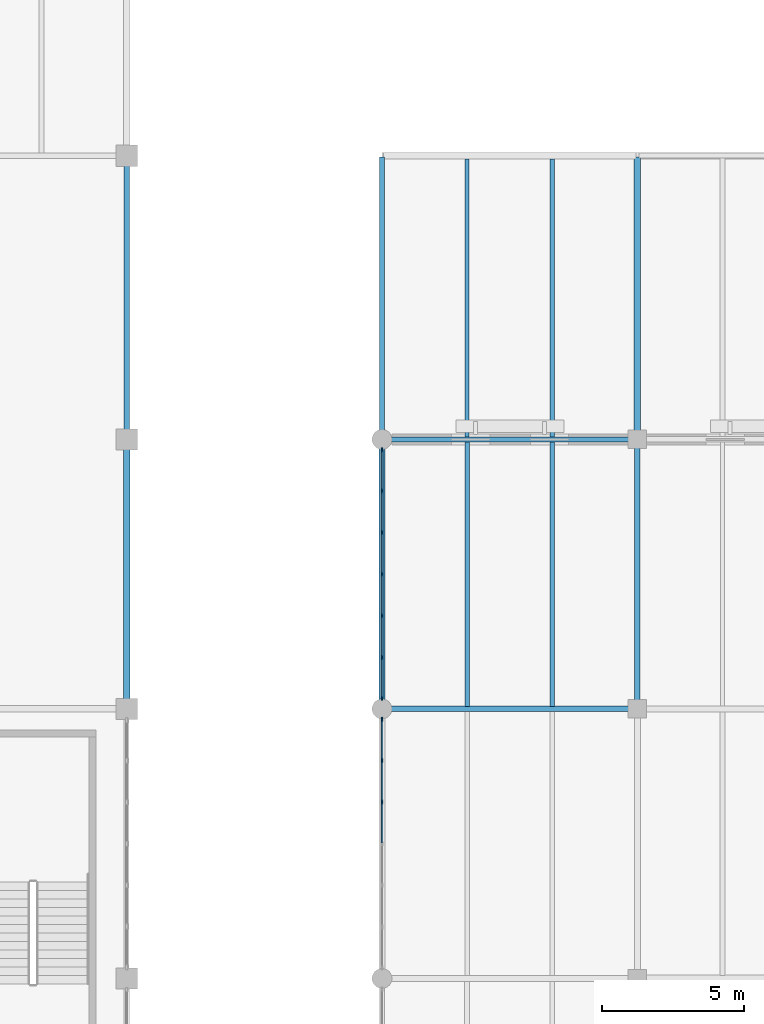
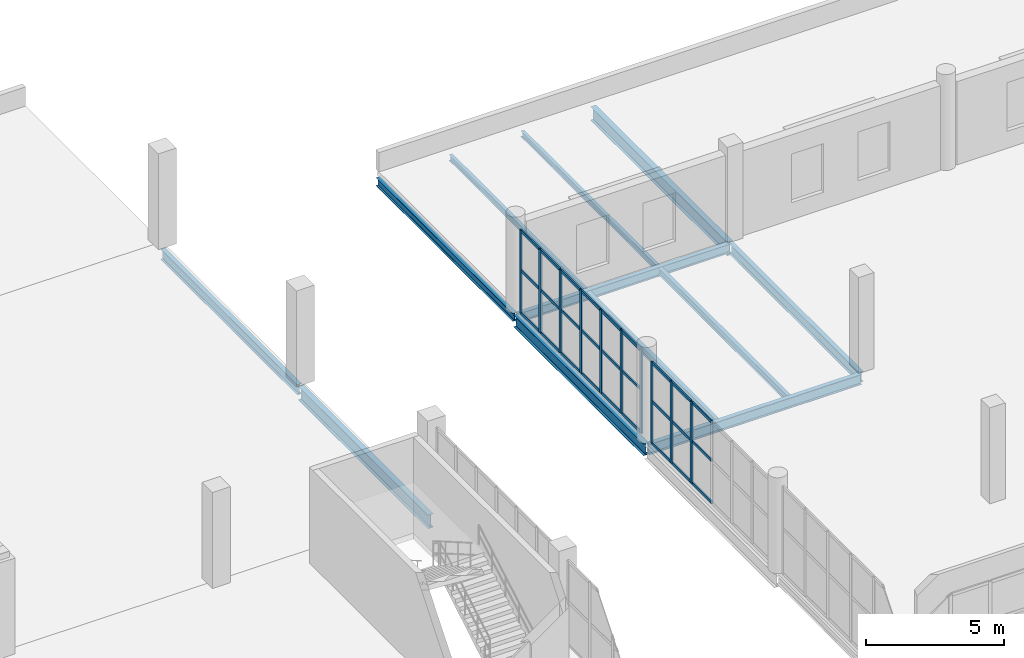
# One storey, part 42 of 85: 37 members, 12 beams, 2 elements without a shape of their own.
"""IFC4 building model written with IfcOpenShell, lengths in metres."""

from ifc_helpers import new_model, si_unit, direction, frame, origin, origin_2d, place, context, subcontext, project, spatial, rectangle, i_section, extrude, material, layer, layer_set, material_profile, profile_set, type_object, element, aggregate, save


model = new_model("IFC4")

# Units and contexts
model_context = context("Model", 3, precision=1e-05, world=origin(), true_north=direction((0.0, 1.0)))
body_context = subcontext(model_context, "Body", "Model", "MODEL_VIEW")
ifc_project = project(units=[si_unit("LENGTHUNIT", "METRE"), si_unit("AREAUNIT", "SQUARE_METRE"), si_unit("VOLUMEUNIT", "CUBIC_METRE"), si_unit("PLANEANGLEUNIT", "RADIAN"), si_unit("MASSUNIT", "GRAM", prefix="KILO")], contexts=[model_context])

# Site, building, storey
site_placement = place(None, origin())
site = spatial("IfcSite", under=ifc_project, at=site_placement, CompositionType="ELEMENT")
building_placement = place(site_placement, origin())
building = spatial("IfcBuilding", under=site, at=building_placement, Name="Marnock Terrace Opera House", CompositionType="ELEMENT")
storey_placement = place(building_placement, frame((0.0, 0.0, 10.199951171875)))
storey = spatial("IfcBuildingStorey", under=building, at=storey_placement, Name="L02", CompositionType="ELEMENT", Elevation=10.199951171875)

# Beams
ifc_material_1 = material(Name="Steel Grade 350 (AS/NZS 3679.1)", Category="steel")
ifc_material_profile_1 = material_profile(ifc_material_1, i_section(OverallWidth=0.1708984375, OverallDepth=0.355712890625, WebThickness=0.00732421875, FlangeThickness=0.011474609375, FilletRadius=0.011474609375, at=origin_2d()))
ifc_profile_set_1 = profile_set([ifc_material_profile_1], Name="Steel Grade 350 (AS/NZS 3679.1)")
beam_type_1 = type_object("IfcBeamType", Name="BM-GIRD-360", PredefinedType="BEAM", material=ifc_profile_set_1)
beam_1_placement = place(storey_placement, frame((118.0, 94.050048828125, -0.437744140625), z_axis=(0.0, 1.0, 0.0), x_axis=(-1.0, 0.0, 0.0)))
element("IfcBeam", 1, at=beam_1_placement, inside=storey, type_object=beam_type_1, Name="L02 girder (X=118.0, 94.0..104.0)", PredefinedType="BEAM", context=body_context, shape_type="SweptSolid", body=[
    extrude(i_section(OverallWidth=0.1708984375, OverallDepth=0.355712890625, WebThickness=0.00732421875, FlangeThickness=0.011474609375, FilletRadius=0.011474609375, at=origin_2d()), origin(), (0.0, 0.0, 1.0), 9.89990234375),
])
ifc_material_profile_2 = material_profile(ifc_material_1, i_section(OverallWidth=0.177978515625, OverallDepth=0.402587890625, WebThickness=0.007568359375, FlangeThickness=0.010986328125, FilletRadius=0.011474609375, at=origin_2d()))
ifc_profile_set_2 = profile_set([ifc_material_profile_2], Name="Steel Grade 350 (AS/NZS 3679.1)")
beam_type_2 = type_object("IfcBeamType", Name="BM-GIRD-410", PredefinedType="BEAM", material=ifc_profile_set_2)
beam_2_placement = place(storey_placement, frame((118.050048828125, 94.0, -0.461181640625), z_axis=(1.0, 0.0, 0.0), x_axis=(0.0, 1.0, 0.0)))
element("IfcBeam", 2, at=beam_2_placement, inside=storey, type_object=beam_type_2, Name="L02 girder (118.0..127.0, Y=94.0)", PredefinedType="BEAM", context=body_context, shape_type="SweptSolid", body=[
    extrude(i_section(OverallWidth=0.177978515625, OverallDepth=0.402587890625, WebThickness=0.007568359375, FlangeThickness=0.010986328125, FilletRadius=0.011474609375, at=origin_2d()), origin(), (0.0, 0.0, 1.0), 8.89990234375),
])
ifc_material_profile_3 = material_profile(ifc_material_1, i_section(OverallWidth=0.19091796875, OverallDepth=0.46044921875, WebThickness=0.010009765625, FlangeThickness=0.01611328125, FilletRadius=0.011474609375, at=origin_2d()))
ifc_profile_set_3 = profile_set([ifc_material_profile_3], Name="Steel Grade 350 (AS/NZS 3679.1)")
beam_type_3 = type_object("IfcBeamType", Name="BM-GIRD-460A", PredefinedType="BEAM", material=ifc_profile_set_3)
beam_3_placement = place(storey_placement, frame((118.050048828125, 84.5, -0.490234375), z_axis=(1.0, 0.0, 0.0), x_axis=(0.0, 1.0, 0.0)))
element("IfcBeam", 3, at=beam_3_placement, inside=storey, type_object=beam_type_3, Name="L02 girder (118.0..127.0, Y=84.5)", PredefinedType="BEAM", context=body_context, shape_type="SweptSolid", body=[
    extrude(i_section(OverallWidth=0.19091796875, OverallDepth=0.46044921875, WebThickness=0.010009765625, FlangeThickness=0.01611328125, FilletRadius=0.011474609375, at=origin_2d()), origin(), (0.0, 0.0, 1.0), 8.89990234375),
])
ifc_material_profile_4 = material_profile(ifc_material_1, i_section(OverallWidth=0.18994140625, OverallDepth=0.45751953125, WebThickness=0.009033203125, FlangeThickness=0.014404296875, FilletRadius=0.011474609375, at=origin_2d()))
ifc_profile_set_4 = profile_set([ifc_material_profile_4], Name="Steel Grade 350 (AS/NZS 3679.1)")
beam_type_4 = type_object("IfcBeamType", Name="BM-GIRD-460B", PredefinedType="BEAM", material=ifc_profile_set_4)
beam_4_placement = place(storey_placement, frame((109.0, 94.050048828125, -0.48876953125), z_axis=(0.0, 1.0, 0.0), x_axis=(-1.0, 0.0, 0.0)))
element("IfcBeam", 4, at=beam_4_placement, inside=storey, type_object=beam_type_4, Name="L02 girder (X=109.0, 94.0..104.0)", PredefinedType="BEAM", context=body_context, shape_type="SweptSolid", body=[
    extrude(i_section(OverallWidth=0.18994140625, OverallDepth=0.45751953125, WebThickness=0.009033203125, FlangeThickness=0.014404296875, FilletRadius=0.011474609375, at=origin_2d()), origin(), (0.0, 0.0, 1.0), 9.89990234375),
])
beam_5_placement = place(storey_placement, frame((127.0, 84.550048828125, -0.48876953125), z_axis=(0.0, 1.0, 0.0), x_axis=(-1.0, 0.0, 0.0)))
element("IfcBeam", 5, at=beam_5_placement, inside=storey, type_object=beam_type_4, Name="L02 girder (X=127.0, 84.5..94.0)", PredefinedType="BEAM", context=body_context, shape_type="SweptSolid", body=[
    extrude(i_section(OverallWidth=0.18994140625, OverallDepth=0.45751953125, WebThickness=0.009033203125, FlangeThickness=0.014404296875, FilletRadius=0.011474609375, at=origin_2d()), origin(), (0.0, 0.0, 1.0), 9.39990234375),
])
ifc_material_profile_5 = material_profile(ifc_material_1, i_section(OverallWidth=0.208984375, OverallDepth=0.528076171875, WebThickness=0.009521484375, FlangeThickness=0.01318359375, FilletRadius=0.013916015625, at=origin_2d()))
ifc_profile_set_5 = profile_set([ifc_material_profile_5], Name="Steel Grade 350 (AS/NZS 3679.1)")
beam_type_5 = type_object("IfcBeamType", Name="BM-GIRD-530B", PredefinedType="BEAM", material=ifc_profile_set_5)
beam_6_placement = place(storey_placement, frame((118.0, 84.550048828125, -0.52392578125), z_axis=(0.0, 1.0, 0.0), x_axis=(-1.0, 0.0, 0.0)))
element("IfcBeam", 6, at=beam_6_placement, inside=storey, type_object=beam_type_5, Name="L02 girder (X=118.0, 84.5..94.0)", PredefinedType="BEAM", context=body_context, shape_type="SweptSolid", body=[
    extrude(i_section(OverallWidth=0.208984375, OverallDepth=0.528076171875, WebThickness=0.009521484375, FlangeThickness=0.01318359375, FilletRadius=0.013916015625, at=origin_2d()), origin(), (0.0, 0.0, 1.0), 9.39990234375),
])
ifc_material_profile_6 = material_profile(ifc_material_1, i_section(OverallWidth=0.22802734375, OverallDepth=0.60205078125, WebThickness=0.010498046875, FlangeThickness=0.014892578125, FilletRadius=0.013916015625, at=origin_2d()))
ifc_profile_set_6 = profile_set([ifc_material_profile_6], Name="Steel Grade 350 (AS/NZS 3679.1)")
beam_type_6 = type_object("IfcBeamType", Name="BM-GIRD-610C", PredefinedType="BEAM", material=ifc_profile_set_6)
beam_7_placement = place(storey_placement, frame((109.0, 84.550048828125, -0.56103515625), z_axis=(0.0, 1.0, 0.0), x_axis=(-1.0, 0.0, 0.0)))
element("IfcBeam", 7, at=beam_7_placement, inside=storey, type_object=beam_type_6, Name="L02 girder (X=109.0, 84.5..94.0)", PredefinedType="BEAM", context=body_context, shape_type="SweptSolid", body=[
    extrude(i_section(OverallWidth=0.22802734375, OverallDepth=0.60205078125, WebThickness=0.010498046875, FlangeThickness=0.014892578125, FilletRadius=0.013916015625, at=origin_2d()), origin(), (0.0, 0.0, 1.0), 9.39990234375),
])
beam_8_placement = place(storey_placement, frame((127.0, 94.050048828125, -0.56103515625), z_axis=(0.0, 1.0, 0.0), x_axis=(-1.0, 0.0, 0.0)))
element("IfcBeam", 8, at=beam_8_placement, inside=storey, type_object=beam_type_6, Name="L02 girder (X=127.0, 94.0..104.0)", PredefinedType="BEAM", context=body_context, shape_type="SweptSolid", body=[
    extrude(i_section(OverallWidth=0.22802734375, OverallDepth=0.60205078125, WebThickness=0.010498046875, FlangeThickness=0.014892578125, FilletRadius=0.013916015625, at=origin_2d()), origin(), (0.0, 0.0, 1.0), 9.89990234375),
])
ifc_material_profile_7 = material_profile(ifc_material_1, i_section(OverallWidth=0.14599609375, OverallDepth=0.256103515625, WebThickness=0.00634765625, FlangeThickness=0.010986328125, FilletRadius=0.0087890625, at=origin_2d()))
ifc_profile_set_7 = profile_set([ifc_material_profile_7], Name="Steel Grade 350 (AS/NZS 3679.1)")
beam_type_7 = type_object("IfcBeamType", Name="BM-JOIST-250", PredefinedType="JOIST", material=ifc_profile_set_7)
for number, where, z_axis, x_axis, name in (
    (9, (121.0, 94.083984375, -0.387939453125), (0.0, 1.0, 0.0), (-1.0, 0.0, 0.0), "L02 secondary joist 13.11.1"),
    (10, (124.0, 94.083984375, -0.387939453125), (0.0, 1.0, 0.0), (-1.0, 0.0, 0.0), "L02 secondary joist 13.11.2"),
):
    element("IfcBeam", number, at=place(storey_placement, frame(where, z_axis=z_axis, x_axis=x_axis)), inside=storey, type_object=beam_type_7, Name=name, PredefinedType="JOIST", context=body_context, shape_type="SweptSolid", body=[
        extrude(i_section(OverallWidth=0.14599609375, OverallDepth=0.256103515625, WebThickness=0.00634765625, FlangeThickness=0.010986328125, FilletRadius=0.0087890625, at=origin_2d()), origin(), (0.0, 0.0, 1.0), 9.806396484375),
    ])
ifc_material_profile_8 = material_profile(ifc_material_1, i_section(OverallWidth=0.1650390625, OverallDepth=0.3037109375, WebThickness=0.006103515625, FlangeThickness=0.01025390625, FilletRadius=0.011474609375, at=origin_2d()))
ifc_profile_set_8 = profile_set([ifc_material_profile_8], Name="Steel Grade 350 (AS/NZS 3679.1)")
beam_type_8 = type_object("IfcBeamType", Name="BM-JOIST-310B", PredefinedType="JOIST", material=ifc_profile_set_8)
for number, where, z_axis, x_axis, name in (
    (11, (121.0, 84.590576171875, -0.411865234375), (0.0, 1.0, 0.0), (-1.0, 0.0, 0.0), "L02 secondary joist 13.10.1"),
    (12, (124.0, 84.590576171875, -0.411865234375), (0.0, 1.0, 0.0), (-1.0, 0.0, 0.0), "L02 secondary joist 13.10.2"),
):
    element("IfcBeam", number, at=place(storey_placement, frame(where, z_axis=z_axis, x_axis=x_axis)), inside=storey, type_object=beam_type_8, Name=name, PredefinedType="JOIST", context=body_context, shape_type="SweptSolid", body=[
        extrude(i_section(OverallWidth=0.1650390625, OverallDepth=0.3037109375, WebThickness=0.006103515625, FlangeThickness=0.01025390625, FilletRadius=0.011474609375, at=origin_2d()), origin(), (0.0, 0.0, 1.0), 9.325439453125),
    ])

# Curtain wall, members
ifc_material_2 = material(Name="Anodised architectural bronze aluminium framing", Category="aluminium")
ifc_layer = layer(ifc_material_2, 0.159912109375)
ifc_layer_set = layer_set([ifc_layer], Name="Anodised architectural bronze aluminium framing")
curtain_wall_type = type_object("IfcCurtainWallType", Name="CW-FOYER-95x42", PredefinedType="NOTDEFINED", material=ifc_layer_set)
curtain_wall_1_placement = place(storey_placement, origin())
curtain_wall_1 = element("IfcCurtainWall", 13, at=curtain_wall_1_placement, inside=storey, type_object=curtain_wall_type, Name="L02 glazed Beaux-Arts colonnade curtain wall CW-V5-L02-W6", PredefinedType="NOTDEFINED")
ifc_material_profile_9 = material_profile(ifc_material_2, rectangle(XDim=0.06005859375, YDim=0.14990234375, at=origin_2d()))
ifc_profile_set_9 = profile_set([ifc_material_profile_9], Name="Anodised architectural bronze aluminium framing")
member_type_1 = type_object("IfcMemberType", Name="CWM-60x150", PredefinedType="MULLION", material=ifc_profile_set_9)
member_1_placement = place(storey_placement, frame((118.0, 81.218017578125, 0.0), z_axis=(0.0, 0.0, 1.0), x_axis=(-1.0, 0.0, 0.0)))
member_1 = element("IfcMember", 14, at=member_1_placement, type_object=member_type_1, Name="CW-17 mullion 5", PredefinedType="MULLION", context=body_context, shape_type="SweptSolid", body=[
    extrude(rectangle(XDim=0.06005859375, YDim=0.14990234375, at=origin_2d()), origin(), (0.0, 0.0, 1.0), 3.608154296875),
])
member_2_placement = place(storey_placement, frame((118.0, 82.68603515625, 0.0), z_axis=(0.0, 0.0, 1.0), x_axis=(-1.0, 0.0, 0.0)))
member_2 = element("IfcMember", 15, at=member_2_placement, type_object=member_type_1, Name="CW-17 mullion 6", PredefinedType="MULLION", context=body_context, shape_type="SweptSolid", body=[
    extrude(rectangle(XDim=0.06005859375, YDim=0.14990234375, at=origin_2d()), origin(), (0.0, 0.0, 1.0), 3.608154296875),
])
member_3_placement = place(storey_placement, frame((118.0, 84.1240234375, 0.0), z_axis=(0.0, 0.0, 1.0), x_axis=(-1.0, 0.0, 0.0)))
member_3 = element("IfcMember", 16, at=member_3_placement, type_object=member_type_1, Name="CW-17 mullion 7", PredefinedType="MULLION", context=body_context, shape_type="SweptSolid", body=[
    extrude(rectangle(XDim=0.06005859375, YDim=0.14990234375, at=origin_2d()), origin(), (0.0, 0.0, 1.0), 3.608154296875),
])

curtain_wall_2_placement = place(storey_placement, origin())
curtain_wall_2 = element("IfcCurtainWall", 17, at=curtain_wall_2_placement, inside=storey, type_object=curtain_wall_type, Name="L02 glazed Beaux-Arts colonnade curtain wall CW-V5-L02-W7", PredefinedType="NOTDEFINED")
member_4_placement = place(storey_placement, frame((118.0, 84.8759765625, 0.0), z_axis=(0.0, 0.0, 1.0), x_axis=(-1.0, 0.0, 0.0)))
member_4 = element("IfcMember", 18, at=member_4_placement, type_object=member_type_1, Name="CW-17 mullion 1", PredefinedType="MULLION", context=body_context, shape_type="SweptSolid", body=[
    extrude(rectangle(XDim=0.06005859375, YDim=0.14990234375, at=origin_2d()), origin(), (0.0, 0.0, 1.0), 3.68212890625),
])
member_5_placement = place(storey_placement, frame((118.0, 86.31396484375, 0.0), z_axis=(0.0, 0.0, 1.0), x_axis=(-1.0, 0.0, 0.0)))
member_5 = element("IfcMember", 19, at=member_5_placement, type_object=member_type_1, Name="CW-17 mullion 2", PredefinedType="MULLION", context=body_context, shape_type="SweptSolid", body=[
    extrude(rectangle(XDim=0.06005859375, YDim=0.14990234375, at=origin_2d()), origin(), (0.0, 0.0, 1.0), 3.68212890625),
])
member_6_placement = place(storey_placement, frame((118.0, 87.781982421875, 0.0), z_axis=(0.0, 0.0, 1.0), x_axis=(-1.0, 0.0, 0.0)))
member_6 = element("IfcMember", 20, at=member_6_placement, type_object=member_type_1, Name="CW-17 mullion 3", PredefinedType="MULLION", context=body_context, shape_type="SweptSolid", body=[
    extrude(rectangle(XDim=0.06005859375, YDim=0.14990234375, at=origin_2d()), origin(), (0.0, 0.0, 1.0), 3.68212890625),
])
member_7_placement = place(storey_placement, frame((118.0, 89.25, 0.0), z_axis=(0.0, 0.0, 1.0), x_axis=(-1.0, 0.0, 0.0)))
member_7 = element("IfcMember", 21, at=member_7_placement, type_object=member_type_1, Name="CW-17 mullion 4", PredefinedType="MULLION", context=body_context, shape_type="SweptSolid", body=[
    extrude(rectangle(XDim=0.06005859375, YDim=0.14990234375, at=origin_2d()), origin(), (0.0, 0.0, 1.0), 3.68212890625),
])
member_8_placement = place(storey_placement, frame((118.0, 90.718017578125, 0.0), z_axis=(0.0, 0.0, 1.0), x_axis=(-1.0, 0.0, 0.0)))
member_8 = element("IfcMember", 22, at=member_8_placement, type_object=member_type_1, Name="CW-17 mullion 5", PredefinedType="MULLION", context=body_context, shape_type="SweptSolid", body=[
    extrude(rectangle(XDim=0.06005859375, YDim=0.14990234375, at=origin_2d()), origin(), (0.0, 0.0, 1.0), 3.68212890625),
])
member_9_placement = place(storey_placement, frame((118.0, 92.18603515625, 0.0), z_axis=(0.0, 0.0, 1.0), x_axis=(-1.0, 0.0, 0.0)))
member_9 = element("IfcMember", 23, at=member_9_placement, type_object=member_type_1, Name="CW-17 mullion 6", PredefinedType="MULLION", context=body_context, shape_type="SweptSolid", body=[
    extrude(rectangle(XDim=0.06005859375, YDim=0.14990234375, at=origin_2d()), origin(), (0.0, 0.0, 1.0), 3.68212890625),
])
member_10_placement = place(storey_placement, frame((118.0, 93.6240234375, 0.0), z_axis=(0.0, 0.0, 1.0), x_axis=(-1.0, 0.0, 0.0)))
member_10 = element("IfcMember", 24, at=member_10_placement, type_object=member_type_1, Name="CW-17 mullion 7", PredefinedType="MULLION", context=body_context, shape_type="SweptSolid", body=[
    extrude(rectangle(XDim=0.06005859375, YDim=0.14990234375, at=origin_2d()), origin(), (0.0, 0.0, 1.0), 3.68212890625),
])

# Member
ifc_material_profile_10 = material_profile(ifc_material_2, rectangle(XDim=0.06005859375, YDim=0.1298828125, at=origin_2d()))
ifc_profile_set_10 = profile_set([ifc_material_profile_10], Name="Anodised architectural bronze aluminium framing")
member_type_2 = type_object("IfcMemberType", Name="CWT-60x130", PredefinedType="USERDEFINED", material=ifc_profile_set_10)
member_11_placement = place(storey_placement, frame((118.0, 79.780029296875, 0.030029296875), z_axis=(0.0, 1.0, 0.0), x_axis=(-1.0, 0.0, 0.0)))
member_11 = element("IfcMember", 25, at=member_11_placement, type_object=member_type_2, Name="CW-17 transom 4.1", ObjectType="TRANSOM", PredefinedType="USERDEFINED", context=body_context, shape_type="SweptSolid", body=[
    extrude(rectangle(XDim=0.06005859375, YDim=0.1298828125, at=origin_2d()), origin(), (0.0, 0.0, 1.0), 1.407958984375),
])

member_12_placement = place(storey_placement, frame((118.0, 79.780029296875, 1.876220703125), z_axis=(0.0, 1.0, 0.0), x_axis=(-1.0, 0.0, 0.0)))
member_12 = element("IfcMember", 26, at=member_12_placement, type_object=member_type_2, Name="CW-17 transom 4.2", ObjectType="TRANSOM", PredefinedType="USERDEFINED", context=body_context, shape_type="SweptSolid", body=[
    extrude(rectangle(XDim=0.06005859375, YDim=0.1298828125, at=origin_2d()), origin(), (0.0, 0.0, 1.0), 1.407958984375),
])

member_13_placement = place(storey_placement, frame((118.0, 79.780029296875, 3.578125), z_axis=(0.0, 1.0, 0.0), x_axis=(-1.0, 0.0, 0.0)))
member_13 = element("IfcMember", 27, at=member_13_placement, type_object=member_type_2, Name="CW-17 transom 4.3", ObjectType="TRANSOM", PredefinedType="USERDEFINED", context=body_context, shape_type="SweptSolid", body=[
    extrude(rectangle(XDim=0.06005859375, YDim=0.1298828125, at=origin_2d()), origin(), (0.0, 0.0, 1.0), 1.407958984375),
])

member_14_placement = place(storey_placement, frame((118.0, 81.248046875, 0.030029296875), z_axis=(0.0, 1.0, 0.0), x_axis=(-1.0, 0.0, 0.0)))
member_14 = element("IfcMember", 28, at=member_14_placement, type_object=member_type_2, Name="CW-17 transom 5.1", ObjectType="TRANSOM", PredefinedType="USERDEFINED", context=body_context, shape_type="SweptSolid", body=[
    extrude(rectangle(XDim=0.06005859375, YDim=0.1298828125, at=origin_2d()), origin(), (0.0, 0.0, 1.0), 1.407958984375),
])

member_15_placement = place(storey_placement, frame((118.0, 81.248046875, 1.876220703125), z_axis=(0.0, 1.0, 0.0), x_axis=(-1.0, 0.0, 0.0)))
member_15 = element("IfcMember", 29, at=member_15_placement, type_object=member_type_2, Name="CW-17 transom 5.2", ObjectType="TRANSOM", PredefinedType="USERDEFINED", context=body_context, shape_type="SweptSolid", body=[
    extrude(rectangle(XDim=0.06005859375, YDim=0.1298828125, at=origin_2d()), origin(), (0.0, 0.0, 1.0), 1.407958984375),
])

member_16_placement = place(storey_placement, frame((118.0, 81.248046875, 3.578125), z_axis=(0.0, 1.0, 0.0), x_axis=(-1.0, 0.0, 0.0)))
member_16 = element("IfcMember", 30, at=member_16_placement, type_object=member_type_2, Name="CW-17 transom 5.3", ObjectType="TRANSOM", PredefinedType="USERDEFINED", context=body_context, shape_type="SweptSolid", body=[
    extrude(rectangle(XDim=0.06005859375, YDim=0.1298828125, at=origin_2d()), origin(), (0.0, 0.0, 1.0), 1.407958984375),
])

member_17_placement = place(storey_placement, frame((118.0, 82.716064453125, 0.030029296875), z_axis=(0.0, 1.0, 0.0), x_axis=(-1.0, 0.0, 0.0)))
member_17 = element("IfcMember", 31, at=member_17_placement, type_object=member_type_2, Name="CW-17 transom 6.1", ObjectType="TRANSOM", PredefinedType="USERDEFINED", context=body_context, shape_type="SweptSolid", body=[
    extrude(rectangle(XDim=0.06005859375, YDim=0.1298828125, at=origin_2d()), origin(), (0.0, 0.0, 1.0), 1.3779296875),
])

member_18_placement = place(storey_placement, frame((118.0, 82.716064453125, 1.876220703125), z_axis=(0.0, 1.0, 0.0), x_axis=(-1.0, 0.0, 0.0)))
member_18 = element("IfcMember", 32, at=member_18_placement, type_object=member_type_2, Name="CW-17 transom 6.2", ObjectType="TRANSOM", PredefinedType="USERDEFINED", context=body_context, shape_type="SweptSolid", body=[
    extrude(rectangle(XDim=0.06005859375, YDim=0.1298828125, at=origin_2d()), origin(), (0.0, 0.0, 1.0), 1.3779296875),
])

member_19_placement = place(storey_placement, frame((118.0, 82.716064453125, 3.578125), z_axis=(0.0, 1.0, 0.0), x_axis=(-1.0, 0.0, 0.0)))
member_19 = element("IfcMember", 33, at=member_19_placement, type_object=member_type_2, Name="CW-17 transom 6.3", ObjectType="TRANSOM", PredefinedType="USERDEFINED", context=body_context, shape_type="SweptSolid", body=[
    extrude(rectangle(XDim=0.06005859375, YDim=0.1298828125, at=origin_2d()), origin(), (0.0, 0.0, 1.0), 1.3779296875),
])

aggregate(curtain_wall_1, [member_1, member_2, member_3, member_11, member_12, member_13, member_14, member_15, member_16, member_17, member_18, member_19])

member_20_placement = place(storey_placement, frame((118.0, 84.906005859375, 0.030029296875), z_axis=(0.0, 1.0, 0.0), x_axis=(-1.0, 0.0, 0.0)))
member_20 = element("IfcMember", 34, at=member_20_placement, type_object=member_type_2, Name="CW-17 transom 1.1", ObjectType="TRANSOM", PredefinedType="USERDEFINED", context=body_context, shape_type="SweptSolid", body=[
    extrude(rectangle(XDim=0.06005859375, YDim=0.1298828125, at=origin_2d()), origin(), (0.0, 0.0, 1.0), 1.3779296875),
])

member_21_placement = place(storey_placement, frame((118.0, 84.906005859375, 1.91455078125), z_axis=(0.0, 1.0, 0.0), x_axis=(-1.0, 0.0, 0.0)))
member_21 = element("IfcMember", 35, at=member_21_placement, type_object=member_type_2, Name="CW-17 transom 1.2", ObjectType="TRANSOM", PredefinedType="USERDEFINED", context=body_context, shape_type="SweptSolid", body=[
    extrude(rectangle(XDim=0.06005859375, YDim=0.1298828125, at=origin_2d()), origin(), (0.0, 0.0, 1.0), 1.3779296875),
])

member_22_placement = place(storey_placement, frame((118.0, 84.906005859375, 3.652099609375), z_axis=(0.0, 1.0, 0.0), x_axis=(-1.0, 0.0, 0.0)))
member_22 = element("IfcMember", 36, at=member_22_placement, type_object=member_type_2, Name="CW-17 transom 1.3", ObjectType="TRANSOM", PredefinedType="USERDEFINED", context=body_context, shape_type="SweptSolid", body=[
    extrude(rectangle(XDim=0.06005859375, YDim=0.1298828125, at=origin_2d()), origin(), (0.0, 0.0, 1.0), 1.3779296875),
])

member_23_placement = place(storey_placement, frame((118.0, 86.343994140625, 0.030029296875), z_axis=(0.0, 1.0, 0.0), x_axis=(-1.0, 0.0, 0.0)))
member_23 = element("IfcMember", 37, at=member_23_placement, type_object=member_type_2, Name="CW-17 transom 2.1", ObjectType="TRANSOM", PredefinedType="USERDEFINED", context=body_context, shape_type="SweptSolid", body=[
    extrude(rectangle(XDim=0.06005859375, YDim=0.1298828125, at=origin_2d()), origin(), (0.0, 0.0, 1.0), 1.407958984375),
])

member_24_placement = place(storey_placement, frame((118.0, 86.343994140625, 1.91455078125), z_axis=(0.0, 1.0, 0.0), x_axis=(-1.0, 0.0, 0.0)))
member_24 = element("IfcMember", 38, at=member_24_placement, type_object=member_type_2, Name="CW-17 transom 2.2", ObjectType="TRANSOM", PredefinedType="USERDEFINED", context=body_context, shape_type="SweptSolid", body=[
    extrude(rectangle(XDim=0.06005859375, YDim=0.1298828125, at=origin_2d()), origin(), (0.0, 0.0, 1.0), 1.407958984375),
])

member_25_placement = place(storey_placement, frame((118.0, 86.343994140625, 3.652099609375), z_axis=(0.0, 1.0, 0.0), x_axis=(-1.0, 0.0, 0.0)))
member_25 = element("IfcMember", 39, at=member_25_placement, type_object=member_type_2, Name="CW-17 transom 2.3", ObjectType="TRANSOM", PredefinedType="USERDEFINED", context=body_context, shape_type="SweptSolid", body=[
    extrude(rectangle(XDim=0.06005859375, YDim=0.1298828125, at=origin_2d()), origin(), (0.0, 0.0, 1.0), 1.407958984375),
])

member_26_placement = place(storey_placement, frame((118.0, 87.81201171875, 0.030029296875), z_axis=(0.0, 1.0, 0.0), x_axis=(-1.0, 0.0, 0.0)))
member_26 = element("IfcMember", 40, at=member_26_placement, type_object=member_type_2, Name="CW-17 transom 3.1", ObjectType="TRANSOM", PredefinedType="USERDEFINED", context=body_context, shape_type="SweptSolid", body=[
    extrude(rectangle(XDim=0.06005859375, YDim=0.1298828125, at=origin_2d()), origin(), (0.0, 0.0, 1.0), 1.407958984375),
])

member_27_placement = place(storey_placement, frame((118.0, 87.81201171875, 1.91455078125), z_axis=(0.0, 1.0, 0.0), x_axis=(-1.0, 0.0, 0.0)))
member_27 = element("IfcMember", 41, at=member_27_placement, type_object=member_type_2, Name="CW-17 transom 3.2", ObjectType="TRANSOM", PredefinedType="USERDEFINED", context=body_context, shape_type="SweptSolid", body=[
    extrude(rectangle(XDim=0.06005859375, YDim=0.1298828125, at=origin_2d()), origin(), (0.0, 0.0, 1.0), 1.407958984375),
])

member_28_placement = place(storey_placement, frame((118.0, 87.81201171875, 3.652099609375), z_axis=(0.0, 1.0, 0.0), x_axis=(-1.0, 0.0, 0.0)))
member_28 = element("IfcMember", 42, at=member_28_placement, type_object=member_type_2, Name="CW-17 transom 3.3", ObjectType="TRANSOM", PredefinedType="USERDEFINED", context=body_context, shape_type="SweptSolid", body=[
    extrude(rectangle(XDim=0.06005859375, YDim=0.1298828125, at=origin_2d()), origin(), (0.0, 0.0, 1.0), 1.407958984375),
])

member_29_placement = place(storey_placement, frame((118.0, 89.280029296875, 0.030029296875), z_axis=(0.0, 1.0, 0.0), x_axis=(-1.0, 0.0, 0.0)))
member_29 = element("IfcMember", 43, at=member_29_placement, type_object=member_type_2, Name="CW-17 transom 4.1", ObjectType="TRANSOM", PredefinedType="USERDEFINED", context=body_context, shape_type="SweptSolid", body=[
    extrude(rectangle(XDim=0.06005859375, YDim=0.1298828125, at=origin_2d()), origin(), (0.0, 0.0, 1.0), 1.407958984375),
])

member_30_placement = place(storey_placement, frame((118.0, 89.280029296875, 1.91455078125), z_axis=(0.0, 1.0, 0.0), x_axis=(-1.0, 0.0, 0.0)))
member_30 = element("IfcMember", 44, at=member_30_placement, type_object=member_type_2, Name="CW-17 transom 4.2", ObjectType="TRANSOM", PredefinedType="USERDEFINED", context=body_context, shape_type="SweptSolid", body=[
    extrude(rectangle(XDim=0.06005859375, YDim=0.1298828125, at=origin_2d()), origin(), (0.0, 0.0, 1.0), 1.407958984375),
])

member_31_placement = place(storey_placement, frame((118.0, 89.280029296875, 3.652099609375), z_axis=(0.0, 1.0, 0.0), x_axis=(-1.0, 0.0, 0.0)))
member_31 = element("IfcMember", 45, at=member_31_placement, type_object=member_type_2, Name="CW-17 transom 4.3", ObjectType="TRANSOM", PredefinedType="USERDEFINED", context=body_context, shape_type="SweptSolid", body=[
    extrude(rectangle(XDim=0.06005859375, YDim=0.1298828125, at=origin_2d()), origin(), (0.0, 0.0, 1.0), 1.407958984375),
])

member_32_placement = place(storey_placement, frame((118.0, 90.748046875, 0.030029296875), z_axis=(0.0, 1.0, 0.0), x_axis=(-1.0, 0.0, 0.0)))
member_32 = element("IfcMember", 46, at=member_32_placement, type_object=member_type_2, Name="CW-17 transom 5.1", ObjectType="TRANSOM", PredefinedType="USERDEFINED", context=body_context, shape_type="SweptSolid", body=[
    extrude(rectangle(XDim=0.06005859375, YDim=0.1298828125, at=origin_2d()), origin(), (0.0, 0.0, 1.0), 1.407958984375),
])

member_33_placement = place(storey_placement, frame((118.0, 90.748046875, 1.91455078125), z_axis=(0.0, 1.0, 0.0), x_axis=(-1.0, 0.0, 0.0)))
member_33 = element("IfcMember", 47, at=member_33_placement, type_object=member_type_2, Name="CW-17 transom 5.2", ObjectType="TRANSOM", PredefinedType="USERDEFINED", context=body_context, shape_type="SweptSolid", body=[
    extrude(rectangle(XDim=0.06005859375, YDim=0.1298828125, at=origin_2d()), origin(), (0.0, 0.0, 1.0), 1.407958984375),
])

member_34_placement = place(storey_placement, frame((118.0, 90.748046875, 3.652099609375), z_axis=(0.0, 1.0, 0.0), x_axis=(-1.0, 0.0, 0.0)))
member_34 = element("IfcMember", 48, at=member_34_placement, type_object=member_type_2, Name="CW-17 transom 5.3", ObjectType="TRANSOM", PredefinedType="USERDEFINED", context=body_context, shape_type="SweptSolid", body=[
    extrude(rectangle(XDim=0.06005859375, YDim=0.1298828125, at=origin_2d()), origin(), (0.0, 0.0, 1.0), 1.407958984375),
])

member_35_placement = place(storey_placement, frame((118.0, 92.216064453125, 0.030029296875), z_axis=(0.0, 1.0, 0.0), x_axis=(-1.0, 0.0, 0.0)))
member_35 = element("IfcMember", 49, at=member_35_placement, type_object=member_type_2, Name="CW-17 transom 6.1", ObjectType="TRANSOM", PredefinedType="USERDEFINED", context=body_context, shape_type="SweptSolid", body=[
    extrude(rectangle(XDim=0.06005859375, YDim=0.1298828125, at=origin_2d()), origin(), (0.0, 0.0, 1.0), 1.3779296875),
])

member_36_placement = place(storey_placement, frame((118.0, 92.216064453125, 1.91455078125), z_axis=(0.0, 1.0, 0.0), x_axis=(-1.0, 0.0, 0.0)))
member_36 = element("IfcMember", 50, at=member_36_placement, type_object=member_type_2, Name="CW-17 transom 6.2", ObjectType="TRANSOM", PredefinedType="USERDEFINED", context=body_context, shape_type="SweptSolid", body=[
    extrude(rectangle(XDim=0.06005859375, YDim=0.1298828125, at=origin_2d()), origin(), (0.0, 0.0, 1.0), 1.3779296875),
])

member_37_placement = place(storey_placement, frame((118.0, 92.216064453125, 3.652099609375), z_axis=(0.0, 1.0, 0.0), x_axis=(-1.0, 0.0, 0.0)))
member_37 = element("IfcMember", 51, at=member_37_placement, type_object=member_type_2, Name="CW-17 transom 6.3", ObjectType="TRANSOM", PredefinedType="USERDEFINED", context=body_context, shape_type="SweptSolid", body=[
    extrude(rectangle(XDim=0.06005859375, YDim=0.1298828125, at=origin_2d()), origin(), (0.0, 0.0, 1.0), 1.3779296875),
])

aggregate(curtain_wall_2, [member_4, member_5, member_6, member_7, member_8, member_9, member_10, member_20, member_21, member_22, member_23, member_24, member_25, member_26, member_27, member_28, member_29, member_30, member_31, member_32, member_33, member_34, member_35, member_36, member_37])

save(model, "model.ifc")
